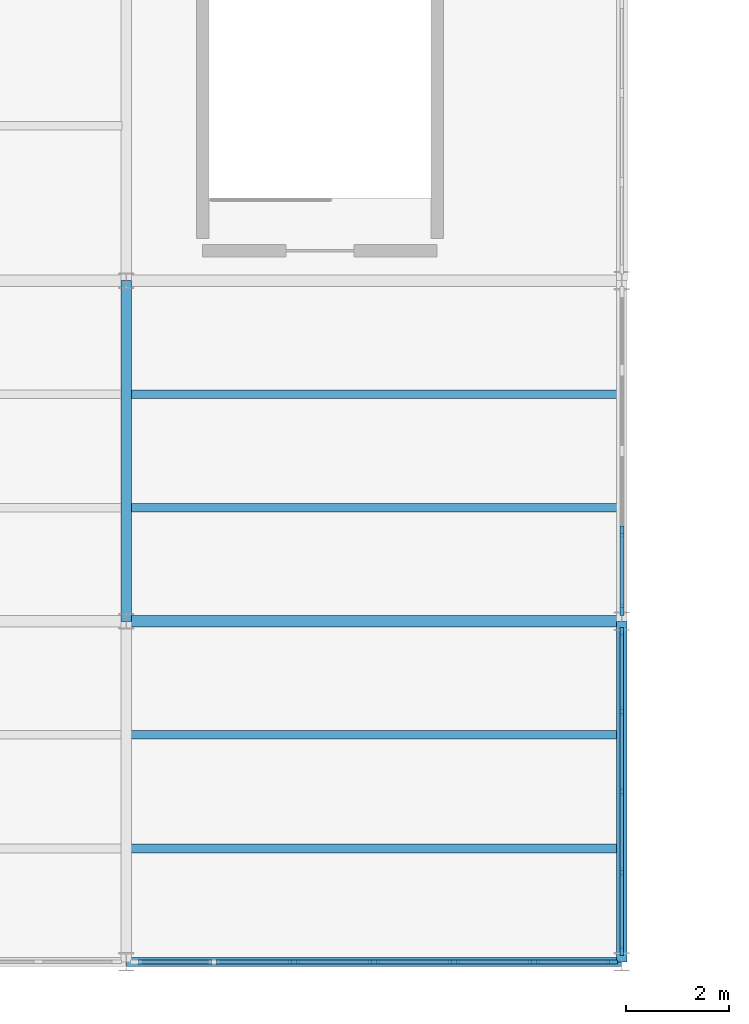
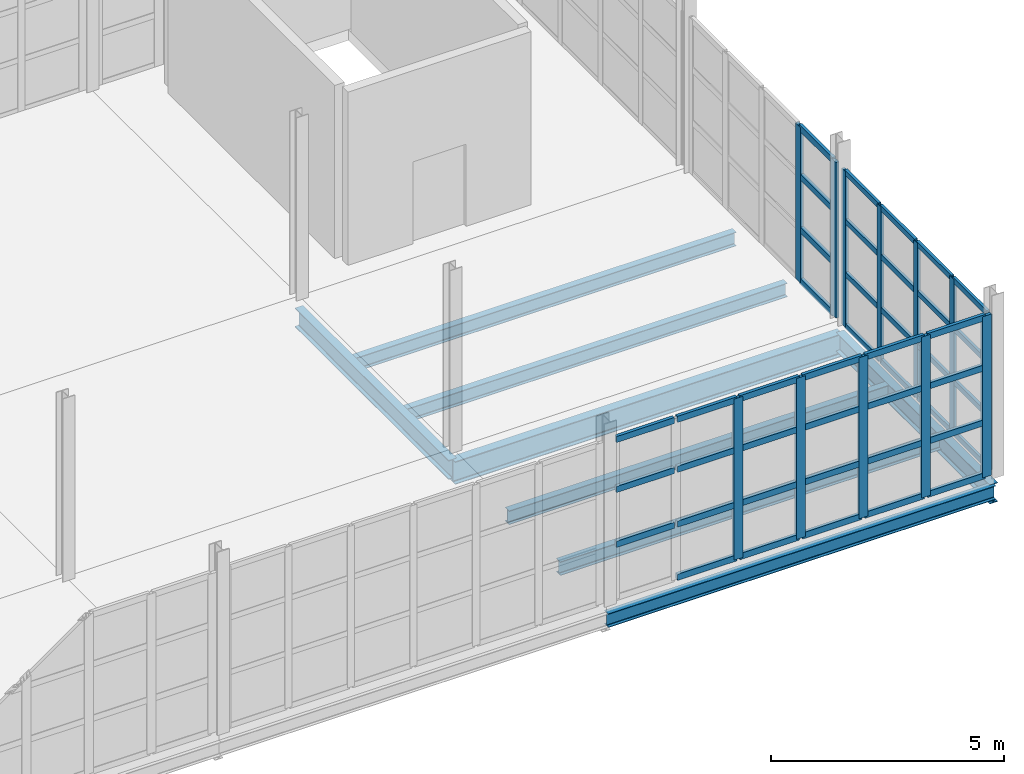
# One storey, part 65 of 120: 55 members, 8 beams, 3 elements without a shape of their own.
"""IFC4 building model written with IfcOpenShell, lengths in metres."""

import ifcopenshell
import ifcopenshell.guid

model = None  # the IFC model being written
_history = None  # IfcOwnerHistory: only IFC2X3 demands one
_inside = {}  # id of a spatial element -> (the spatial element, [elements in it])
_under = {}  # id of a project, library or spatial element -> (it, [spatial elements below it])
_declared = {}  # id of a project -> (the project, [libraries it declares])
_typed = {}  # id of a type object -> (the type object, [elements of that type])
_made_of = {}  # id of a material, layer set ... -> (it, [elements and type objects made of it])


def new_model(schema):
    """Start an empty IFC model of exactly this schema.

    Asked for "IFC4X3", IfcOpenShell would pick the latest addendum, in which some entities
    have other attributes; the version numbers below select the first issue.
    IFC2X3 requires an IfcOwnerHistory on every rooted entity: one is made here for all.
    """
    global model, _history
    if schema == "IFC4X3":
        model = ifcopenshell.file(schema_version=(4, 3, 0, 0))
    else:
        model = ifcopenshell.file(schema=schema)
    _inside.clear()
    _under.clear()
    _declared.clear()
    _typed.clear()
    _made_of.clear()
    _history = None
    if model.schema == "IFC2X3":
        org = make("IfcOrganization", Name="unknown")
        user = make(
            "IfcPersonAndOrganization",
            ThePerson=make("IfcPerson", FamilyName="unknown"),
            TheOrganization=org,
        )
        app = make(
            "IfcApplication",
            ApplicationDeveloper=org,
            Version="unknown",
            ApplicationFullName="unknown",
            ApplicationIdentifier="unknown",
        )
        _history = make(
            "IfcOwnerHistory",
            OwningUser=user,
            OwningApplication=app,
            ChangeAction="ADDED",
            CreationDate=0,
        )
    return model


def make(cls, **values):
    """One entity of the class cls with the attributes given. An attribute that is None is left unset."""
    return model.create_entity(
        cls, **{name: value for name, value in values.items() if value is not None}
    )


def rooted(cls, **values):
    """An entity with a GlobalId (a new one), such as an element, a storey or a relation."""
    return make(cls, GlobalId=ifcopenshell.guid.new(), OwnerHistory=_history, **values)


def si_unit(unit_type, name, prefix=None):
    """IfcSIUnit, for example si_unit("LENGTHUNIT", "METRE", prefix="MILLI")."""
    return make("IfcSIUnit", UnitType=unit_type, Prefix=prefix, Name=name)


def assignment(units):
    """IfcUnitAssignment: the units of a project."""
    return None if units is None else make("IfcUnitAssignment", Units=units)


def point(xyz):
    """IfcCartesianPoint."""
    return None if xyz is None else make("IfcCartesianPoint", Coordinates=xyz)


def direction(xyz):
    """IfcDirection."""
    return None if xyz is None else make("IfcDirection", DirectionRatios=xyz)


def frame(location, z_axis=None, x_axis=None):
    """IfcAxis2Placement3D, a coordinate frame: its origin and axes. An axis left out is left unset."""
    return make(
        "IfcAxis2Placement3D",
        Location=point(location),
        Axis=direction(z_axis),
        RefDirection=direction(x_axis),
    )


def frame_2d(location, x_axis=None):
    """IfcAxis2Placement2D, a coordinate frame in the plane: its origin and x axis."""
    return make(
        "IfcAxis2Placement2D", Location=point(location), RefDirection=direction(x_axis)
    )


def origin():
    """The frame at (0, 0, 0) with its axes left unset."""
    return frame((0.0, 0.0, 0.0))


def origin_2d():
    """The frame at (0, 0) in the plane with its x axis left unset."""
    return frame_2d((0.0, 0.0))


def place(relative_to, where):
    """IfcLocalPlacement: puts the frame where relative to a parent placement (None: the world)."""
    return make(
        "IfcLocalPlacement", PlacementRelTo=relative_to, RelativePlacement=where
    )


def context(
    kind, dimensions, precision=None, world=None, true_north=None, identifier=None
):
    """IfcGeometricRepresentationContext, for example the 3D "Model" context."""
    return make(
        "IfcGeometricRepresentationContext",
        ContextIdentifier=identifier,
        ContextType=kind,
        CoordinateSpaceDimension=dimensions,
        Precision=precision,
        WorldCoordinateSystem=world,
        TrueNorth=true_north,
    )


def subcontext(parent, identifier, kind, view, scale=None):
    """IfcGeometricRepresentationSubContext, for example "Body" below "Model"."""
    return make(
        "IfcGeometricRepresentationSubContext",
        ContextIdentifier=identifier,
        ContextType=kind,
        ParentContext=parent,
        TargetScale=scale,
        TargetView=view,
    )


def project(units=None, contexts=None):
    """IfcProject with its units and contexts."""
    return rooted(
        "IfcProject",
        Name="project",
        RepresentationContexts=contexts,
        UnitsInContext=assignment(units),
    )


def spatial(cls, under=None, at=None, **own):
    """A site, building, storey or space (cls), placed at a placement, below another one or the project."""
    s = rooted(cls, ObjectPlacement=at, **own)
    if under is not None:
        _under.setdefault(under.id(), (under, []))[1].append(s)
    return s


def profile(cls, at=None, kind="AREA", **sizes):
    """A parametric profile (cls). Its sizes go by their IFC names, for example OverallWidth=200.0."""
    return make(cls, ProfileType=kind, Position=at, **sizes)


def rectangle(**sizes):
    """IfcRectangleProfileDef."""
    return profile("IfcRectangleProfileDef", **sizes)


def i_section(**sizes):
    """IfcIShapeProfileDef."""
    return profile("IfcIShapeProfileDef", **sizes)


def extrude(swept, where, along, depth):
    """IfcExtrudedAreaSolid: the profile swept, set in the frame where, extruded along a direction by depth."""
    return make(
        "IfcExtrudedAreaSolid",
        SweptArea=swept,
        Position=where,
        ExtrudedDirection=direction(along),
        Depth=depth,
    )


def shape(context_of_items, identifier, shape_type, items):
    """IfcShapeRepresentation: the items that make up one representation, for example the "Body"."""
    return make(
        "IfcShapeRepresentation",
        ContextOfItems=context_of_items,
        RepresentationIdentifier=identifier,
        RepresentationType=shape_type,
        Items=items,
    )


def material(Name=None, Category=None):
    """IfcMaterial."""
    return make("IfcMaterial", Name=Name, Category=Category)


def layer(
    of_material, thickness, ventilated=None, Name=None, Category=None, Priority=None
):
    """IfcMaterialLayer: one layer of a wall or slab, of a material (None: an air gap)."""
    return make(
        "IfcMaterialLayer",
        Material=of_material,
        LayerThickness=thickness,
        IsVentilated=ventilated,
        Name=Name,
        Category=Category,
        Priority=Priority,
    )


def layer_set(layers, Name=None):
    """IfcMaterialLayerSet."""
    return make("IfcMaterialLayerSet", MaterialLayers=layers, LayerSetName=Name)


def material_profile(
    of_material, cross_section, Name=None, Category=None, Priority=None
):
    """IfcMaterialProfile: a cross section and its material."""
    return make(
        "IfcMaterialProfile",
        Name=Name,
        Material=of_material,
        Profile=cross_section,
        Priority=Priority,
        Category=Category,
    )


def profile_set(profiles, Name=None, composite=None):
    """IfcMaterialProfileSet."""
    return make(
        "IfcMaterialProfileSet",
        Name=Name,
        MaterialProfiles=profiles,
        CompositeProfile=composite,
    )


def made_of(thing, what):
    """Note that an element or type object is made of a material, layer set ...; save() writes the relation."""
    if what is not None:
        _made_of.setdefault(what.id(), (what, []))[1].append(thing)
    return thing


def type_object(cls, material=None, **own):
    """A type object (cls), such as IfcWallType, which elements share."""
    return made_of(rooted(cls, **own), material)


def element(
    cls,
    number,
    at=None,
    inside=None,
    cuts=None,
    type_object=None,
    material=None,
    context=None,
    identifier="Body",
    shape_type=None,
    held_by="IfcProductDefinitionShape",
    body=None,
    shapes=None,
    **own,
):
    """One element of the class cls, such as IfcWall. Its Tag is "e" and its number.

    at: its placement. inside: the storey or other place that contains it. cuts: it is an
    opening in that element (IfcRelVoidsElement). A single representation is given by context,
    identifier, shape_type and body (its items); several are given by shapes. held_by: the class
    of the entity that holds the representations. save() writes the other relations.
    """
    e = rooted(cls, Tag="e%d" % number, ObjectPlacement=at, **own)
    if body is not None:
        shapes = [shape(context, identifier, shape_type, body)]
    if shapes is not None:
        e.Representation = make(held_by, Representations=shapes)
    if inside is not None:
        _inside.setdefault(inside.id(), (inside, []))[1].append(e)
    if cuts is not None:
        rooted(
            "IfcRelVoidsElement", RelatingBuildingElement=cuts, RelatedOpeningElement=e
        )
    if type_object is not None:
        _typed.setdefault(type_object.id(), (type_object, []))[1].append(e)
    return made_of(e, material)


def aggregate(whole, parts):
    """IfcRelAggregates: a whole, such as a stair, and the parts it consists of."""
    return rooted("IfcRelAggregates", RelatingObject=whole, RelatedObjects=parts)


def save(model, path):
    """Write the relations noted so far, then the file.

    IfcRelAggregates (storeys below a building ...), IfcRelContainedInSpatialStructure (elements
    in a storey), IfcRelDefinesByType, IfcRelAssociatesMaterial and IfcRelDeclares: one each for
    every whole, place, type object, material and project.
    """
    for whole, parts in _under.values():
        aggregate(whole, parts)
    for where, things in _inside.values():
        rooted(
            "IfcRelContainedInSpatialStructure",
            RelatedElements=things,
            RelatingStructure=where,
        )
    for kind, things in _typed.values():
        rooted("IfcRelDefinesByType", RelatedObjects=things, RelatingType=kind)
    for what, things in _made_of.values():
        rooted("IfcRelAssociatesMaterial", RelatedObjects=things, RelatingMaterial=what)
    for by, libraries in _declared.values():
        rooted("IfcRelDeclares", RelatingContext=by, RelatedDefinitions=libraries)
    model.write(path)


model = new_model("IFC4")

# Units and contexts
model_context = context("Model", 3, precision=1e-05, world=origin(), true_north=direction((0.0, 1.0)))
body_context = subcontext(model_context, "Body", "Model", "MODEL_VIEW")
ifc_project = project(units=[si_unit("LENGTHUNIT", "METRE"), si_unit("AREAUNIT", "SQUARE_METRE"), si_unit("VOLUMEUNIT", "CUBIC_METRE"), si_unit("PLANEANGLEUNIT", "RADIAN"), si_unit("MASSUNIT", "GRAM", prefix="KILO")], contexts=[model_context])

# Site, building, storey
site_placement = place(None, origin())
site = spatial("IfcSite", under=ifc_project, at=site_placement, CompositionType="ELEMENT")
building_placement = place(site_placement, origin())
building = spatial("IfcBuilding", under=site, at=building_placement, Name="Zarnetskaya Central Station", CompositionType="ELEMENT")
storey_placement = place(building_placement, frame((0.0, 0.0, 5.39990234375)))
storey = spatial("IfcBuildingStorey", under=building, at=storey_placement, Name="L01", CompositionType="ELEMENT", Elevation=5.39990234375)

# Beams
ifc_material_1 = material(Name="Steel S355", Category="steel")
ifc_material_profile_1 = material_profile(ifc_material_1, i_section(OverallWidth=0.169921875, OverallDepth=0.360107421875, WebThickness=0.008056640625, FlangeThickness=0.0126953125, FilletRadius=0.01806640625, at=origin_2d()), Name="IPE 360")
ifc_profile_set_1 = profile_set([ifc_material_profile_1], Name="Steel S355")
beam_type_1 = type_object("IfcBeamType", Name="BM-SEC-360", PredefinedType="BEAM", material=ifc_profile_set_1)
for number, where, z_axis, x_axis, name in (
    (1, (163.280029296875, 2.199951171875, -0.4599609375), (1.0, 0.0, 0.0), (0.0, 1.0, 0.0), "Secondary floor beam SEC-L01-Z512-TU-12-1"),
    (2, (163.280029296875, 4.39990234375, -0.4599609375), (1.0, 0.0, 0.0), (0.0, 1.0, 0.0), "Secondary floor beam SEC-L01-Z512-TU-12-2"),
    (3, (163.280029296875, 8.800048828125, -0.4599609375), (1.0, 0.0, 0.0), (0.0, 1.0, 0.0), "Secondary floor beam SEC-L01-Z512-TU-23-1"),
    (4, (163.280029296875, 11.0, -0.4599609375), (1.0, 0.0, 0.0), (0.0, 1.0, 0.0), "Secondary floor beam SEC-L01-Z512-TU-23-2"),
):
    element("IfcBeam", number, at=place(storey_placement, frame(where, z_axis=z_axis, x_axis=x_axis)), inside=storey, type_object=beam_type_1, Name=name, PredefinedType="BEAM", context=body_context, shape_type="SweptSolid", body=[
        extrude(i_section(OverallWidth=0.169921875, OverallDepth=0.360107421875, WebThickness=0.008056640625, FlangeThickness=0.0126953125, FilletRadius=0.01806640625, at=origin_2d()), origin(), (0.0, 0.0, 1.0), 9.43994140625),
    ])
ifc_material_profile_2 = material_profile(ifc_material_1, i_section(OverallWidth=0.169921875, OverallDepth=0.360107421875, WebThickness=0.008056640625, FlangeThickness=0.0126953125, FilletRadius=0.01806640625, at=origin_2d()), Name="IPE 360")
ifc_profile_set_2 = profile_set([ifc_material_profile_2], Name="Steel S355")
beam_type_2 = type_object("IfcBeamType", Name="BM-SPN-V4", PredefinedType="SPANDREL", material=ifc_profile_set_2)
beam_1_placement = place(storey_placement, frame((163.199951171875, 0.0, -0.4599609375), z_axis=(1.0, 0.0, 0.0), x_axis=(0.0, 1.0, 0.0)))
element("IfcBeam", 5, at=beam_1_placement, inside=storey, type_object=beam_type_2, Name="Grid girder GX-L01-1-TU", PredefinedType="SPANDREL", context=body_context, shape_type="SweptSolid", body=[
    extrude(i_section(OverallWidth=0.169921875, OverallDepth=0.360107421875, WebThickness=0.008056640625, FlangeThickness=0.0126953125, FilletRadius=0.01806640625, at=origin_2d()), origin(), (0.0, 0.0, 1.0), 9.60009765625),
])

# Curtain wall, members
ifc_material_2 = material(Name="Low-E insulated glass", Category="glass")
ifc_layer = layer(ifc_material_2, 0.159912109375, Name="Low-E insulated glass", Category="glass")
ifc_layer_set = layer_set([ifc_layer], Name="Low-E insulated glass")
curtain_wall_type = type_object("IfcCurtainWallType", Name="CW-SYS-06", PredefinedType="USERDEFINED", material=ifc_layer_set)
curtain_wall_1_placement = place(storey_placement, origin())
curtain_wall_1 = element("IfcCurtainWall", 6, at=curtain_wall_1_placement, inside=storey, type_object=curtain_wall_type, Name="Curtain wall CW-L01-121", ObjectType="CURTAIN WALL", PredefinedType="USERDEFINED")
ifc_material_3 = material(Name="Anodised aluminium", Category="aluminium")
ifc_material_profile_3 = material_profile(ifc_material_3, rectangle(XDim=0.070068359375, YDim=0.179931640625, at=origin_2d()), Name="ALU MULL 70x180")
ifc_profile_set_3 = profile_set([ifc_material_profile_3], Name="Anodised aluminium")
member_type_1 = type_object("IfcMemberType", Name="CW-MULL-180", PredefinedType="MULLION", material=ifc_profile_set_3)
member_1_placement = place(storey_placement, frame((172.800048828125, 6.385009765625, 0.0), z_axis=(0.0, 0.0, 1.0), x_axis=(1.0, 0.0, 0.0)))
member_1 = element("IfcMember", 7, at=member_1_placement, type_object=member_type_1, Name="CW-02 mullion 1", PredefinedType="MULLION", context=body_context, shape_type="SweptSolid", body=[
    extrude(rectangle(XDim=0.070068359375, YDim=0.179931640625, at=origin_2d()), origin(), (0.0, 0.0, 1.0), 4.080078125),
])
member_2_placement = place(storey_placement, frame((172.800048828125, 4.860107421875, 0.0), z_axis=(0.0, 0.0, 1.0), x_axis=(1.0, 0.0, 0.0)))
member_2 = element("IfcMember", 8, at=member_2_placement, type_object=member_type_1, Name="CW-02 mullion 2", PredefinedType="MULLION", context=body_context, shape_type="SweptSolid", body=[
    extrude(rectangle(XDim=0.070068359375, YDim=0.179931640625, at=origin_2d()), origin(), (0.0, 0.0, 1.0), 4.080078125),
])
member_3_placement = place(storey_placement, frame((172.800048828125, 3.300048828125, 0.0), z_axis=(0.0, 0.0, 1.0), x_axis=(1.0, 0.0, 0.0)))
member_3 = element("IfcMember", 9, at=member_3_placement, type_object=member_type_1, Name="CW-02 mullion 3", PredefinedType="MULLION", context=body_context, shape_type="SweptSolid", body=[
    extrude(rectangle(XDim=0.070068359375, YDim=0.179931640625, at=origin_2d()), origin(), (0.0, 0.0, 1.0), 4.080078125),
])
member_4_placement = place(storey_placement, frame((172.800048828125, 1.739990234375, 0.0), z_axis=(0.0, 0.0, 1.0), x_axis=(1.0, 0.0, 0.0)))
member_4 = element("IfcMember", 10, at=member_4_placement, type_object=member_type_1, Name="CW-02 mullion 4", PredefinedType="MULLION", context=body_context, shape_type="SweptSolid", body=[
    extrude(rectangle(XDim=0.070068359375, YDim=0.179931640625, at=origin_2d()), origin(), (0.0, 0.0, 1.0), 4.080078125),
])
member_5_placement = place(storey_placement, frame((172.800048828125, 0.215087890625, 0.0), z_axis=(0.0, 0.0, 1.0), x_axis=(1.0, 0.0, 0.0)))
member_5 = element("IfcMember", 11, at=member_5_placement, type_object=member_type_1, Name="CW-02 mullion 5", PredefinedType="MULLION", context=body_context, shape_type="SweptSolid", body=[
    extrude(rectangle(XDim=0.070068359375, YDim=0.179931640625, at=origin_2d()), origin(), (0.0, 0.0, 1.0), 4.080078125),
])

curtain_wall_2_placement = place(storey_placement, origin())
curtain_wall_2 = element("IfcCurtainWall", 12, at=curtain_wall_2_placement, inside=storey, type_object=curtain_wall_type, Name="Curtain wall CW-L01-120", ObjectType="CURTAIN WALL", PredefinedType="USERDEFINED")
ifc_material_profile_4 = material_profile(ifc_material_3, rectangle(XDim=0.080078125, YDim=0.219970703125, at=origin_2d()), Name="ALU MULL 80x220")
ifc_profile_set_4 = profile_set([ifc_material_profile_4], Name="Anodised aluminium")
member_type_2 = type_object("IfcMemberType", Name="CW-MULL-220", PredefinedType="MULLION", material=ifc_profile_set_4)
member_6_placement = place(storey_placement, frame((172.800048828125, 8.340087890625, 0.0), z_axis=(0.0, 0.0, 1.0), x_axis=(1.0, 0.0, 0.0)))
member_6 = element("IfcMember", 13, at=member_6_placement, type_object=member_type_2, Name="CW-02 mullion 4", PredefinedType="MULLION", context=body_context, shape_type="SweptSolid", body=[
    extrude(rectangle(XDim=0.080078125, YDim=0.219970703125, at=origin_2d()), origin(), (0.0, 0.0, 1.0), 4.080078125),
])
member_7_placement = place(storey_placement, frame((172.800048828125, 6.820068359375, 0.0), z_axis=(0.0, 0.0, 1.0), x_axis=(1.0, 0.0, 0.0)))
member_7 = element("IfcMember", 14, at=member_7_placement, type_object=member_type_2, Name="CW-02 mullion 5", PredefinedType="MULLION", context=body_context, shape_type="SweptSolid", body=[
    extrude(rectangle(XDim=0.080078125, YDim=0.219970703125, at=origin_2d()), origin(), (0.0, 0.0, 1.0), 4.080078125),
])

curtain_wall_3_placement = place(storey_placement, origin())
curtain_wall_3 = element("IfcCurtainWall", 15, at=curtain_wall_3_placement, inside=storey, type_object=curtain_wall_type, Name="Curtain wall CW-L01-122", ObjectType="CURTAIN WALL", PredefinedType="USERDEFINED")
member_8_placement = place(storey_placement, frame((172.610107421875, 0.0, 0.0), z_axis=(0.0, 0.0, 1.0), x_axis=(0.0, -1.0, 0.0)))
member_8 = element("IfcMember", 16, at=member_8_placement, type_object=member_type_2, Name="CW-02 mullion 1", PredefinedType="MULLION", context=body_context, shape_type="SweptSolid", body=[
    extrude(rectangle(XDim=0.080078125, YDim=0.219970703125, at=origin_2d()), origin(), (0.0, 0.0, 1.0), 4.22021484375),
])
member_9_placement = place(storey_placement, frame((171.10009765625, 0.0, 0.0), z_axis=(0.0, 0.0, 1.0), x_axis=(0.0, -1.0, 0.0)))
member_9 = element("IfcMember", 17, at=member_9_placement, type_object=member_type_2, Name="CW-02 mullion 2", PredefinedType="MULLION", context=body_context, shape_type="SweptSolid", body=[
    extrude(rectangle(XDim=0.080078125, YDim=0.219970703125, at=origin_2d()), origin(), (0.0, 0.0, 1.0), 4.22021484375),
])
member_10_placement = place(storey_placement, frame((169.550048828125, 0.0, 0.0), z_axis=(0.0, 0.0, 1.0), x_axis=(0.0, -1.0, 0.0)))
member_10 = element("IfcMember", 18, at=member_10_placement, type_object=member_type_2, Name="CW-02 mullion 3", PredefinedType="MULLION", context=body_context, shape_type="SweptSolid", body=[
    extrude(rectangle(XDim=0.080078125, YDim=0.219970703125, at=origin_2d()), origin(), (0.0, 0.0, 1.0), 4.22021484375),
])
member_11_placement = place(storey_placement, frame((168.0, 0.0, 0.0), z_axis=(0.0, 0.0, 1.0), x_axis=(0.0, -1.0, 0.0)))
member_11 = element("IfcMember", 19, at=member_11_placement, type_object=member_type_2, Name="CW-02 mullion 4", PredefinedType="MULLION", context=body_context, shape_type="SweptSolid", body=[
    extrude(rectangle(XDim=0.080078125, YDim=0.219970703125, at=origin_2d()), origin(), (0.0, 0.0, 1.0), 4.22021484375),
])
member_12_placement = place(storey_placement, frame((166.449951171875, 0.0, 0.0), z_axis=(0.0, 0.0, 1.0), x_axis=(0.0, -1.0, 0.0)))
member_12 = element("IfcMember", 20, at=member_12_placement, type_object=member_type_2, Name="CW-02 mullion 5", PredefinedType="MULLION", context=body_context, shape_type="SweptSolid", body=[
    extrude(rectangle(XDim=0.080078125, YDim=0.219970703125, at=origin_2d()), origin(), (0.0, 0.0, 1.0), 4.22021484375),
])

# Member
ifc_material_profile_5 = material_profile(ifc_material_3, rectangle(XDim=0.070068359375, YDim=0.139892578125, at=origin_2d()), Name="ALU TRAN 70x140")
ifc_profile_set_5 = profile_set([ifc_material_profile_5], Name="Anodised aluminium")
member_type_3 = type_object("IfcMemberType", Name="CW-TRAN-140", PredefinedType="USERDEFINED", material=ifc_profile_set_5)
member_13_placement = place(storey_placement, frame((172.800048828125, 6.35009765625, 0.03515625), z_axis=(0.0, -1.0, 0.0), x_axis=(1.0, 0.0, 0.0)))
member_13 = element("IfcMember", 21, at=member_13_placement, type_object=member_type_3, Name="CW-02 transom 1.1", ObjectType="TRANSOM", PredefinedType="USERDEFINED", context=body_context, shape_type="SweptSolid", body=[
    extrude(rectangle(XDim=0.070068359375, YDim=0.139892578125, at=origin_2d()), origin(), (0.0, 0.0, 1.0), 1.455078125),
])

member_14_placement = place(storey_placement, frame((172.800048828125, 6.35009765625, 1.38720703125), z_axis=(0.0, -1.0, 0.0), x_axis=(1.0, 0.0, 0.0)))
member_14 = element("IfcMember", 22, at=member_14_placement, type_object=member_type_3, Name="CW-02 transom 1.2", ObjectType="TRANSOM", PredefinedType="USERDEFINED", context=body_context, shape_type="SweptSolid", body=[
    extrude(rectangle(XDim=0.070068359375, YDim=0.139892578125, at=origin_2d()), origin(), (0.0, 0.0, 1.0), 1.455078125),
])

member_15_placement = place(storey_placement, frame((172.800048828125, 6.35009765625, 2.774169921875), z_axis=(0.0, -1.0, 0.0), x_axis=(1.0, 0.0, 0.0)))
member_15 = element("IfcMember", 23, at=member_15_placement, type_object=member_type_3, Name="CW-02 transom 1.3", ObjectType="TRANSOM", PredefinedType="USERDEFINED", context=body_context, shape_type="SweptSolid", body=[
    extrude(rectangle(XDim=0.070068359375, YDim=0.139892578125, at=origin_2d()), origin(), (0.0, 0.0, 1.0), 1.455078125),
])

member_16_placement = place(storey_placement, frame((172.800048828125, 6.35009765625, 4.045166015625), z_axis=(0.0, -1.0, 0.0), x_axis=(1.0, 0.0, 0.0)))
member_16 = element("IfcMember", 24, at=member_16_placement, type_object=member_type_3, Name="CW-02 transom 1.4", ObjectType="TRANSOM", PredefinedType="USERDEFINED", context=body_context, shape_type="SweptSolid", body=[
    extrude(rectangle(XDim=0.070068359375, YDim=0.139892578125, at=origin_2d()), origin(), (0.0, 0.0, 1.0), 1.455078125),
])

member_17_placement = place(storey_placement, frame((172.800048828125, 4.824951171875, 0.03515625), z_axis=(0.0, -1.0, 0.0), x_axis=(1.0, 0.0, 0.0)))
member_17 = element("IfcMember", 25, at=member_17_placement, type_object=member_type_3, Name="CW-02 transom 2.1", ObjectType="TRANSOM", PredefinedType="USERDEFINED", context=body_context, shape_type="SweptSolid", body=[
    extrude(rectangle(XDim=0.070068359375, YDim=0.139892578125, at=origin_2d()), origin(), (0.0, 0.0, 1.0), 1.489990234375),
])

member_18_placement = place(storey_placement, frame((172.800048828125, 4.824951171875, 1.38720703125), z_axis=(0.0, -1.0, 0.0), x_axis=(1.0, 0.0, 0.0)))
member_18 = element("IfcMember", 26, at=member_18_placement, type_object=member_type_3, Name="CW-02 transom 2.2", ObjectType="TRANSOM", PredefinedType="USERDEFINED", context=body_context, shape_type="SweptSolid", body=[
    extrude(rectangle(XDim=0.070068359375, YDim=0.139892578125, at=origin_2d()), origin(), (0.0, 0.0, 1.0), 1.489990234375),
])

member_19_placement = place(storey_placement, frame((172.800048828125, 4.824951171875, 2.774169921875), z_axis=(0.0, -1.0, 0.0), x_axis=(1.0, 0.0, 0.0)))
member_19 = element("IfcMember", 27, at=member_19_placement, type_object=member_type_3, Name="CW-02 transom 2.3", ObjectType="TRANSOM", PredefinedType="USERDEFINED", context=body_context, shape_type="SweptSolid", body=[
    extrude(rectangle(XDim=0.070068359375, YDim=0.139892578125, at=origin_2d()), origin(), (0.0, 0.0, 1.0), 1.489990234375),
])

member_20_placement = place(storey_placement, frame((172.800048828125, 4.824951171875, 4.045166015625), z_axis=(0.0, -1.0, 0.0), x_axis=(1.0, 0.0, 0.0)))
member_20 = element("IfcMember", 28, at=member_20_placement, type_object=member_type_3, Name="CW-02 transom 2.4", ObjectType="TRANSOM", PredefinedType="USERDEFINED", context=body_context, shape_type="SweptSolid", body=[
    extrude(rectangle(XDim=0.070068359375, YDim=0.139892578125, at=origin_2d()), origin(), (0.0, 0.0, 1.0), 1.489990234375),
])

member_21_placement = place(storey_placement, frame((172.800048828125, 3.264892578125, 0.03515625), z_axis=(0.0, -1.0, 0.0), x_axis=(1.0, 0.0, 0.0)))
member_21 = element("IfcMember", 29, at=member_21_placement, type_object=member_type_3, Name="CW-02 transom 3.1", ObjectType="TRANSOM", PredefinedType="USERDEFINED", context=body_context, shape_type="SweptSolid", body=[
    extrude(rectangle(XDim=0.070068359375, YDim=0.139892578125, at=origin_2d()), origin(), (0.0, 0.0, 1.0), 1.489990234375),
])

member_22_placement = place(storey_placement, frame((172.800048828125, 3.264892578125, 1.38720703125), z_axis=(0.0, -1.0, 0.0), x_axis=(1.0, 0.0, 0.0)))
member_22 = element("IfcMember", 30, at=member_22_placement, type_object=member_type_3, Name="CW-02 transom 3.2", ObjectType="TRANSOM", PredefinedType="USERDEFINED", context=body_context, shape_type="SweptSolid", body=[
    extrude(rectangle(XDim=0.070068359375, YDim=0.139892578125, at=origin_2d()), origin(), (0.0, 0.0, 1.0), 1.489990234375),
])

member_23_placement = place(storey_placement, frame((172.800048828125, 3.264892578125, 2.774169921875), z_axis=(0.0, -1.0, 0.0), x_axis=(1.0, 0.0, 0.0)))
member_23 = element("IfcMember", 31, at=member_23_placement, type_object=member_type_3, Name="CW-02 transom 3.3", ObjectType="TRANSOM", PredefinedType="USERDEFINED", context=body_context, shape_type="SweptSolid", body=[
    extrude(rectangle(XDim=0.070068359375, YDim=0.139892578125, at=origin_2d()), origin(), (0.0, 0.0, 1.0), 1.489990234375),
])

member_24_placement = place(storey_placement, frame((172.800048828125, 3.264892578125, 4.045166015625), z_axis=(0.0, -1.0, 0.0), x_axis=(1.0, 0.0, 0.0)))
member_24 = element("IfcMember", 32, at=member_24_placement, type_object=member_type_3, Name="CW-02 transom 3.4", ObjectType="TRANSOM", PredefinedType="USERDEFINED", context=body_context, shape_type="SweptSolid", body=[
    extrude(rectangle(XDim=0.070068359375, YDim=0.139892578125, at=origin_2d()), origin(), (0.0, 0.0, 1.0), 1.489990234375),
])

member_25_placement = place(storey_placement, frame((172.800048828125, 1.705078125, 0.03515625), z_axis=(0.0, -1.0, 0.0), x_axis=(1.0, 0.0, 0.0)))
member_25 = element("IfcMember", 33, at=member_25_placement, type_object=member_type_3, Name="CW-02 transom 4.1", ObjectType="TRANSOM", PredefinedType="USERDEFINED", context=body_context, shape_type="SweptSolid", body=[
    extrude(rectangle(XDim=0.070068359375, YDim=0.139892578125, at=origin_2d()), origin(), (0.0, 0.0, 1.0), 1.455078125),
])

member_26_placement = place(storey_placement, frame((172.800048828125, 1.705078125, 1.38720703125), z_axis=(0.0, -1.0, 0.0), x_axis=(1.0, 0.0, 0.0)))
member_26 = element("IfcMember", 34, at=member_26_placement, type_object=member_type_3, Name="CW-02 transom 4.2", ObjectType="TRANSOM", PredefinedType="USERDEFINED", context=body_context, shape_type="SweptSolid", body=[
    extrude(rectangle(XDim=0.070068359375, YDim=0.139892578125, at=origin_2d()), origin(), (0.0, 0.0, 1.0), 1.455078125),
])

member_27_placement = place(storey_placement, frame((172.800048828125, 1.705078125, 2.774169921875), z_axis=(0.0, -1.0, 0.0), x_axis=(1.0, 0.0, 0.0)))
member_27 = element("IfcMember", 35, at=member_27_placement, type_object=member_type_3, Name="CW-02 transom 4.3", ObjectType="TRANSOM", PredefinedType="USERDEFINED", context=body_context, shape_type="SweptSolid", body=[
    extrude(rectangle(XDim=0.070068359375, YDim=0.139892578125, at=origin_2d()), origin(), (0.0, 0.0, 1.0), 1.455078125),
])

member_28_placement = place(storey_placement, frame((172.800048828125, 1.705078125, 4.045166015625), z_axis=(0.0, -1.0, 0.0), x_axis=(1.0, 0.0, 0.0)))
member_28 = element("IfcMember", 36, at=member_28_placement, type_object=member_type_3, Name="CW-02 transom 4.4", ObjectType="TRANSOM", PredefinedType="USERDEFINED", context=body_context, shape_type="SweptSolid", body=[
    extrude(rectangle(XDim=0.070068359375, YDim=0.139892578125, at=origin_2d()), origin(), (0.0, 0.0, 1.0), 1.455078125),
])

aggregate(curtain_wall_1, [member_1, member_2, member_3, member_4, member_5, member_13, member_14, member_15, member_16, member_17, member_18, member_19, member_20, member_21, member_22, member_23, member_24, member_25, member_26, member_27, member_28])

ifc_material_profile_6 = material_profile(ifc_material_3, rectangle(XDim=0.080078125, YDim=0.159912109375, at=origin_2d()), Name="ALU TRAN 80x160")
ifc_profile_set_6 = profile_set([ifc_material_profile_6], Name="Anodised aluminium")
member_type_4 = type_object("IfcMemberType", Name="CW-TRAN-160", PredefinedType="USERDEFINED", material=ifc_profile_set_6)
member_29_placement = place(storey_placement, frame((172.800048828125, 8.300048828125, 0.0400390625), z_axis=(0.0, -1.0, 0.0), x_axis=(1.0, 0.0, 0.0)))
member_29 = element("IfcMember", 37, at=member_29_placement, type_object=member_type_4, Name="CW-02 transom 4.1", ObjectType="TRANSOM", PredefinedType="USERDEFINED", context=body_context, shape_type="SweptSolid", body=[
    extrude(rectangle(XDim=0.080078125, YDim=0.159912109375, at=origin_2d()), origin(), (0.0, 0.0, 1.0), 1.43994140625),
])

member_30_placement = place(storey_placement, frame((172.800048828125, 8.300048828125, 1.38720703125), z_axis=(0.0, -1.0, 0.0), x_axis=(1.0, 0.0, 0.0)))
member_30 = element("IfcMember", 38, at=member_30_placement, type_object=member_type_4, Name="CW-02 transom 4.2", ObjectType="TRANSOM", PredefinedType="USERDEFINED", context=body_context, shape_type="SweptSolid", body=[
    extrude(rectangle(XDim=0.080078125, YDim=0.159912109375, at=origin_2d()), origin(), (0.0, 0.0, 1.0), 1.43994140625),
])

member_31_placement = place(storey_placement, frame((172.800048828125, 8.300048828125, 2.774169921875), z_axis=(0.0, -1.0, 0.0), x_axis=(1.0, 0.0, 0.0)))
member_31 = element("IfcMember", 39, at=member_31_placement, type_object=member_type_4, Name="CW-02 transom 4.3", ObjectType="TRANSOM", PredefinedType="USERDEFINED", context=body_context, shape_type="SweptSolid", body=[
    extrude(rectangle(XDim=0.080078125, YDim=0.159912109375, at=origin_2d()), origin(), (0.0, 0.0, 1.0), 1.43994140625),
])

member_32_placement = place(storey_placement, frame((172.800048828125, 8.300048828125, 4.0400390625), z_axis=(0.0, -1.0, 0.0), x_axis=(1.0, 0.0, 0.0)))
member_32 = element("IfcMember", 40, at=member_32_placement, type_object=member_type_4, Name="CW-02 transom 4.4", ObjectType="TRANSOM", PredefinedType="USERDEFINED", context=body_context, shape_type="SweptSolid", body=[
    extrude(rectangle(XDim=0.080078125, YDim=0.159912109375, at=origin_2d()), origin(), (0.0, 0.0, 1.0), 1.43994140625),
])

aggregate(curtain_wall_2, [member_6, member_7, member_29, member_30, member_31, member_32])

member_33_placement = place(storey_placement, frame((172.570068359375, 0.0, 0.0400390625), z_axis=(-1.0, 0.0, 0.0), x_axis=(0.0, -1.0, 0.0)))
member_33 = element("IfcMember", 41, at=member_33_placement, type_object=member_type_4, Name="CW-02 transom 1.1", ObjectType="TRANSOM", PredefinedType="USERDEFINED", context=body_context, shape_type="SweptSolid", body=[
    extrude(rectangle(XDim=0.080078125, YDim=0.159912109375, at=origin_2d()), origin(), (0.0, 0.0, 1.0), 1.43017578125),
])

member_34_placement = place(storey_placement, frame((172.570068359375, 0.0, 1.43505859375), z_axis=(-1.0, 0.0, 0.0), x_axis=(0.0, -1.0, 0.0)))
member_34 = element("IfcMember", 42, at=member_34_placement, type_object=member_type_4, Name="CW-02 transom 1.2", ObjectType="TRANSOM", PredefinedType="USERDEFINED", context=body_context, shape_type="SweptSolid", body=[
    extrude(rectangle(XDim=0.080078125, YDim=0.159912109375, at=origin_2d()), origin(), (0.0, 0.0, 1.0), 1.43017578125),
])

member_35_placement = place(storey_placement, frame((172.570068359375, 0.0, 2.8701171875), z_axis=(-1.0, 0.0, 0.0), x_axis=(0.0, -1.0, 0.0)))
member_35 = element("IfcMember", 43, at=member_35_placement, type_object=member_type_4, Name="CW-02 transom 1.3", ObjectType="TRANSOM", PredefinedType="USERDEFINED", context=body_context, shape_type="SweptSolid", body=[
    extrude(rectangle(XDim=0.080078125, YDim=0.159912109375, at=origin_2d()), origin(), (0.0, 0.0, 1.0), 1.43017578125),
])

member_36_placement = place(storey_placement, frame((172.570068359375, 0.0, 4.18017578125), z_axis=(-1.0, 0.0, 0.0), x_axis=(0.0, -1.0, 0.0)))
member_36 = element("IfcMember", 44, at=member_36_placement, type_object=member_type_4, Name="CW-02 transom 1.4", ObjectType="TRANSOM", PredefinedType="USERDEFINED", context=body_context, shape_type="SweptSolid", body=[
    extrude(rectangle(XDim=0.080078125, YDim=0.159912109375, at=origin_2d()), origin(), (0.0, 0.0, 1.0), 1.43017578125),
])

member_37_placement = place(storey_placement, frame((171.06005859375, 0.0, 0.0400390625), z_axis=(-1.0, 0.0, 0.0), x_axis=(0.0, -1.0, 0.0)))
member_37 = element("IfcMember", 45, at=member_37_placement, type_object=member_type_4, Name="CW-02 transom 2.1", ObjectType="TRANSOM", PredefinedType="USERDEFINED", context=body_context, shape_type="SweptSolid", body=[
    extrude(rectangle(XDim=0.080078125, YDim=0.159912109375, at=origin_2d()), origin(), (0.0, 0.0, 1.0), 1.469970703125),
])

member_38_placement = place(storey_placement, frame((171.06005859375, 0.0, 1.43505859375), z_axis=(-1.0, 0.0, 0.0), x_axis=(0.0, -1.0, 0.0)))
member_38 = element("IfcMember", 46, at=member_38_placement, type_object=member_type_4, Name="CW-02 transom 2.2", ObjectType="TRANSOM", PredefinedType="USERDEFINED", context=body_context, shape_type="SweptSolid", body=[
    extrude(rectangle(XDim=0.080078125, YDim=0.159912109375, at=origin_2d()), origin(), (0.0, 0.0, 1.0), 1.469970703125),
])

member_39_placement = place(storey_placement, frame((171.06005859375, 0.0, 2.8701171875), z_axis=(-1.0, 0.0, 0.0), x_axis=(0.0, -1.0, 0.0)))
member_39 = element("IfcMember", 47, at=member_39_placement, type_object=member_type_4, Name="CW-02 transom 2.3", ObjectType="TRANSOM", PredefinedType="USERDEFINED", context=body_context, shape_type="SweptSolid", body=[
    extrude(rectangle(XDim=0.080078125, YDim=0.159912109375, at=origin_2d()), origin(), (0.0, 0.0, 1.0), 1.469970703125),
])

member_40_placement = place(storey_placement, frame((171.06005859375, 0.0, 4.18017578125), z_axis=(-1.0, 0.0, 0.0), x_axis=(0.0, -1.0, 0.0)))
member_40 = element("IfcMember", 48, at=member_40_placement, type_object=member_type_4, Name="CW-02 transom 2.4", ObjectType="TRANSOM", PredefinedType="USERDEFINED", context=body_context, shape_type="SweptSolid", body=[
    extrude(rectangle(XDim=0.080078125, YDim=0.159912109375, at=origin_2d()), origin(), (0.0, 0.0, 1.0), 1.469970703125),
])

member_41_placement = place(storey_placement, frame((169.510009765625, 0.0, 0.0400390625), z_axis=(-1.0, 0.0, 0.0), x_axis=(0.0, -1.0, 0.0)))
member_41 = element("IfcMember", 49, at=member_41_placement, type_object=member_type_4, Name="CW-02 transom 3.1", ObjectType="TRANSOM", PredefinedType="USERDEFINED", context=body_context, shape_type="SweptSolid", body=[
    extrude(rectangle(XDim=0.080078125, YDim=0.159912109375, at=origin_2d()), origin(), (0.0, 0.0, 1.0), 1.469970703125),
])

member_42_placement = place(storey_placement, frame((169.510009765625, 0.0, 1.43505859375), z_axis=(-1.0, 0.0, 0.0), x_axis=(0.0, -1.0, 0.0)))
member_42 = element("IfcMember", 50, at=member_42_placement, type_object=member_type_4, Name="CW-02 transom 3.2", ObjectType="TRANSOM", PredefinedType="USERDEFINED", context=body_context, shape_type="SweptSolid", body=[
    extrude(rectangle(XDim=0.080078125, YDim=0.159912109375, at=origin_2d()), origin(), (0.0, 0.0, 1.0), 1.469970703125),
])

member_43_placement = place(storey_placement, frame((169.510009765625, 0.0, 2.8701171875), z_axis=(-1.0, 0.0, 0.0), x_axis=(0.0, -1.0, 0.0)))
member_43 = element("IfcMember", 51, at=member_43_placement, type_object=member_type_4, Name="CW-02 transom 3.3", ObjectType="TRANSOM", PredefinedType="USERDEFINED", context=body_context, shape_type="SweptSolid", body=[
    extrude(rectangle(XDim=0.080078125, YDim=0.159912109375, at=origin_2d()), origin(), (0.0, 0.0, 1.0), 1.469970703125),
])

member_44_placement = place(storey_placement, frame((169.510009765625, 0.0, 4.18017578125), z_axis=(-1.0, 0.0, 0.0), x_axis=(0.0, -1.0, 0.0)))
member_44 = element("IfcMember", 52, at=member_44_placement, type_object=member_type_4, Name="CW-02 transom 3.4", ObjectType="TRANSOM", PredefinedType="USERDEFINED", context=body_context, shape_type="SweptSolid", body=[
    extrude(rectangle(XDim=0.080078125, YDim=0.159912109375, at=origin_2d()), origin(), (0.0, 0.0, 1.0), 1.469970703125),
])

member_45_placement = place(storey_placement, frame((167.9599609375, 0.0, 0.0400390625), z_axis=(-1.0, 0.0, 0.0), x_axis=(0.0, -1.0, 0.0)))
member_45 = element("IfcMember", 53, at=member_45_placement, type_object=member_type_4, Name="CW-02 transom 4.1", ObjectType="TRANSOM", PredefinedType="USERDEFINED", context=body_context, shape_type="SweptSolid", body=[
    extrude(rectangle(XDim=0.080078125, YDim=0.159912109375, at=origin_2d()), origin(), (0.0, 0.0, 1.0), 1.469970703125),
])

member_46_placement = place(storey_placement, frame((167.9599609375, 0.0, 1.43505859375), z_axis=(-1.0, 0.0, 0.0), x_axis=(0.0, -1.0, 0.0)))
member_46 = element("IfcMember", 54, at=member_46_placement, type_object=member_type_4, Name="CW-02 transom 4.2", ObjectType="TRANSOM", PredefinedType="USERDEFINED", context=body_context, shape_type="SweptSolid", body=[
    extrude(rectangle(XDim=0.080078125, YDim=0.159912109375, at=origin_2d()), origin(), (0.0, 0.0, 1.0), 1.469970703125),
])

member_47_placement = place(storey_placement, frame((167.9599609375, 0.0, 2.8701171875), z_axis=(-1.0, 0.0, 0.0), x_axis=(0.0, -1.0, 0.0)))
member_47 = element("IfcMember", 55, at=member_47_placement, type_object=member_type_4, Name="CW-02 transom 4.3", ObjectType="TRANSOM", PredefinedType="USERDEFINED", context=body_context, shape_type="SweptSolid", body=[
    extrude(rectangle(XDim=0.080078125, YDim=0.159912109375, at=origin_2d()), origin(), (0.0, 0.0, 1.0), 1.469970703125),
])

member_48_placement = place(storey_placement, frame((167.9599609375, 0.0, 4.18017578125), z_axis=(-1.0, 0.0, 0.0), x_axis=(0.0, -1.0, 0.0)))
member_48 = element("IfcMember", 56, at=member_48_placement, type_object=member_type_4, Name="CW-02 transom 4.4", ObjectType="TRANSOM", PredefinedType="USERDEFINED", context=body_context, shape_type="SweptSolid", body=[
    extrude(rectangle(XDim=0.080078125, YDim=0.159912109375, at=origin_2d()), origin(), (0.0, 0.0, 1.0), 1.469970703125),
])

member_49_placement = place(storey_placement, frame((166.409912109375, 0.0, 0.0400390625), z_axis=(-1.0, 0.0, 0.0), x_axis=(0.0, -1.0, 0.0)))
member_49 = element("IfcMember", 57, at=member_49_placement, type_object=member_type_4, Name="CW-02 transom 5.1", ObjectType="TRANSOM", PredefinedType="USERDEFINED", context=body_context, shape_type="SweptSolid", body=[
    extrude(rectangle(XDim=0.080078125, YDim=0.159912109375, at=origin_2d()), origin(), (0.0, 0.0, 1.0), 1.469970703125),
])

member_50_placement = place(storey_placement, frame((166.409912109375, 0.0, 1.43505859375), z_axis=(-1.0, 0.0, 0.0), x_axis=(0.0, -1.0, 0.0)))
member_50 = element("IfcMember", 58, at=member_50_placement, type_object=member_type_4, Name="CW-02 transom 5.2", ObjectType="TRANSOM", PredefinedType="USERDEFINED", context=body_context, shape_type="SweptSolid", body=[
    extrude(rectangle(XDim=0.080078125, YDim=0.159912109375, at=origin_2d()), origin(), (0.0, 0.0, 1.0), 1.469970703125),
])

member_51_placement = place(storey_placement, frame((166.409912109375, 0.0, 2.8701171875), z_axis=(-1.0, 0.0, 0.0), x_axis=(0.0, -1.0, 0.0)))
member_51 = element("IfcMember", 59, at=member_51_placement, type_object=member_type_4, Name="CW-02 transom 5.3", ObjectType="TRANSOM", PredefinedType="USERDEFINED", context=body_context, shape_type="SweptSolid", body=[
    extrude(rectangle(XDim=0.080078125, YDim=0.159912109375, at=origin_2d()), origin(), (0.0, 0.0, 1.0), 1.469970703125),
])

member_52_placement = place(storey_placement, frame((166.409912109375, 0.0, 4.18017578125), z_axis=(-1.0, 0.0, 0.0), x_axis=(0.0, -1.0, 0.0)))
member_52 = element("IfcMember", 60, at=member_52_placement, type_object=member_type_4, Name="CW-02 transom 5.4", ObjectType="TRANSOM", PredefinedType="USERDEFINED", context=body_context, shape_type="SweptSolid", body=[
    extrude(rectangle(XDim=0.080078125, YDim=0.159912109375, at=origin_2d()), origin(), (0.0, 0.0, 1.0), 1.469970703125),
])

member_53_placement = place(storey_placement, frame((164.860107421875, 0.0, 1.43505859375), z_axis=(-1.0, 0.0, 0.0), x_axis=(0.0, -1.0, 0.0)))
member_53 = element("IfcMember", 61, at=member_53_placement, type_object=member_type_4, Name="CW-02 transom 6.2", ObjectType="TRANSOM", PredefinedType="USERDEFINED", context=body_context, shape_type="SweptSolid", body=[
    extrude(rectangle(XDim=0.080078125, YDim=0.159912109375, at=origin_2d()), origin(), (0.0, 0.0, 1.0), 1.43017578125),
])

member_54_placement = place(storey_placement, frame((164.860107421875, 0.0, 2.8701171875), z_axis=(-1.0, 0.0, 0.0), x_axis=(0.0, -1.0, 0.0)))
member_54 = element("IfcMember", 62, at=member_54_placement, type_object=member_type_4, Name="CW-02 transom 6.3", ObjectType="TRANSOM", PredefinedType="USERDEFINED", context=body_context, shape_type="SweptSolid", body=[
    extrude(rectangle(XDim=0.080078125, YDim=0.159912109375, at=origin_2d()), origin(), (0.0, 0.0, 1.0), 1.43017578125),
])

member_55_placement = place(storey_placement, frame((164.860107421875, 0.0, 4.18017578125), z_axis=(-1.0, 0.0, 0.0), x_axis=(0.0, -1.0, 0.0)))
member_55 = element("IfcMember", 63, at=member_55_placement, type_object=member_type_4, Name="CW-02 transom 6.4", ObjectType="TRANSOM", PredefinedType="USERDEFINED", context=body_context, shape_type="SweptSolid", body=[
    extrude(rectangle(XDim=0.080078125, YDim=0.159912109375, at=origin_2d()), origin(), (0.0, 0.0, 1.0), 1.43017578125),
])

aggregate(curtain_wall_3, [member_8, member_9, member_10, member_11, member_12, member_33, member_34, member_35, member_36, member_37, member_38, member_39, member_40, member_41, member_42, member_43, member_44, member_45, member_46, member_47, member_48, member_49, member_50, member_51, member_52, member_53, member_54, member_55])

# Beams
ifc_material_profile_7 = material_profile(ifc_material_1, i_section(OverallWidth=0.199951171875, OverallDepth=0.5, WebThickness=0.01025390625, FlangeThickness=0.01611328125, FilletRadius=0.02099609375, at=origin_2d()), Name="IPE 500")
ifc_profile_set_7 = profile_set([ifc_material_profile_7], Name="Steel S355")
beam_type_3 = type_object("IfcBeamType", Name="GD-FLR-500", PredefinedType="USERDEFINED", material=ifc_profile_set_7)
beam_2_placement = place(storey_placement, frame((163.199951171875, 6.60009765625, -0.52978515625), z_axis=(0.0, 1.0, 0.0), x_axis=(-1.0, 0.0, 0.0)))
element("IfcBeam", 64, at=beam_2_placement, inside=storey, type_object=beam_type_3, Name="Grid girder GY-L01-T-23", ObjectType="GIRDER", PredefinedType="USERDEFINED", context=body_context, shape_type="SweptSolid", body=[
    extrude(i_section(OverallWidth=0.199951171875, OverallDepth=0.5, WebThickness=0.01025390625, FlangeThickness=0.01611328125, FilletRadius=0.02099609375, at=origin_2d()), origin(), (0.0, 0.0, 1.0), 6.599853515625),
])
beam_3_placement = place(storey_placement, frame((172.800048828125, 0.0, -0.52978515625), z_axis=(0.0, 1.0, 0.0), x_axis=(-1.0, 0.0, 0.0)))
element("IfcBeam", 65, at=beam_3_placement, inside=storey, type_object=beam_type_3, Name="Grid girder GY-L01-U-12", ObjectType="GIRDER", PredefinedType="USERDEFINED", context=body_context, shape_type="SweptSolid", body=[
    extrude(i_section(OverallWidth=0.199951171875, OverallDepth=0.5, WebThickness=0.01025390625, FlangeThickness=0.01611328125, FilletRadius=0.02099609375, at=origin_2d()), origin(), (0.0, 0.0, 1.0), 6.60009765625),
])
ifc_material_profile_8 = material_profile(ifc_material_1, i_section(OverallWidth=0.219970703125, OverallDepth=0.60009765625, WebThickness=0.011962890625, FlangeThickness=0.01904296875, FilletRadius=0.02392578125, at=origin_2d()), Name="IPE 600")
ifc_profile_set_8 = profile_set([ifc_material_profile_8], Name="Steel S355")
beam_type_4 = type_object("IfcBeamType", Name="GD-FLR-600", PredefinedType="USERDEFINED", material=ifc_profile_set_8)
beam_4_placement = place(storey_placement, frame((163.199951171875, 6.60009765625, -0.579833984375), z_axis=(1.0, 0.0, 0.0), x_axis=(0.0, 1.0, 0.0)))
element("IfcBeam", 66, at=beam_4_placement, inside=storey, type_object=beam_type_4, Name="Grid girder GX-L01-2-TU", ObjectType="GIRDER", PredefinedType="USERDEFINED", context=body_context, shape_type="SweptSolid", body=[
    extrude(i_section(OverallWidth=0.219970703125, OverallDepth=0.60009765625, WebThickness=0.011962890625, FlangeThickness=0.01904296875, FilletRadius=0.02392578125, at=origin_2d()), origin(), (0.0, 0.0, 1.0), 9.60009765625),
])

save(model, "model.ifc")
